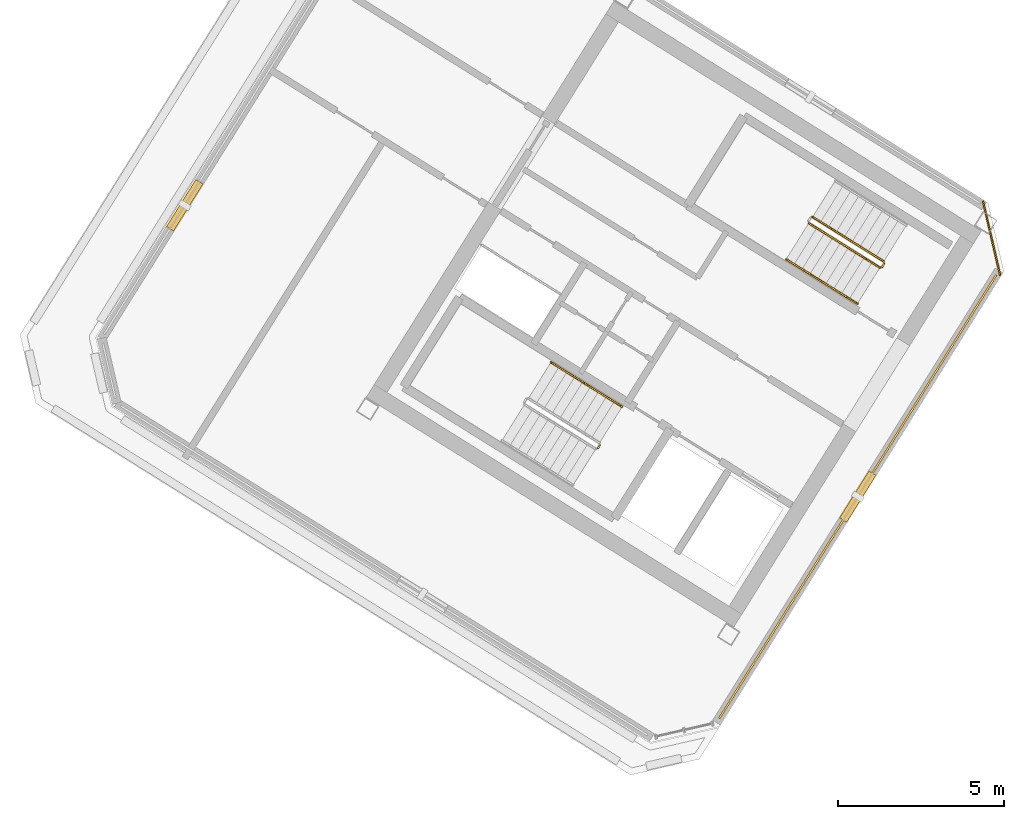
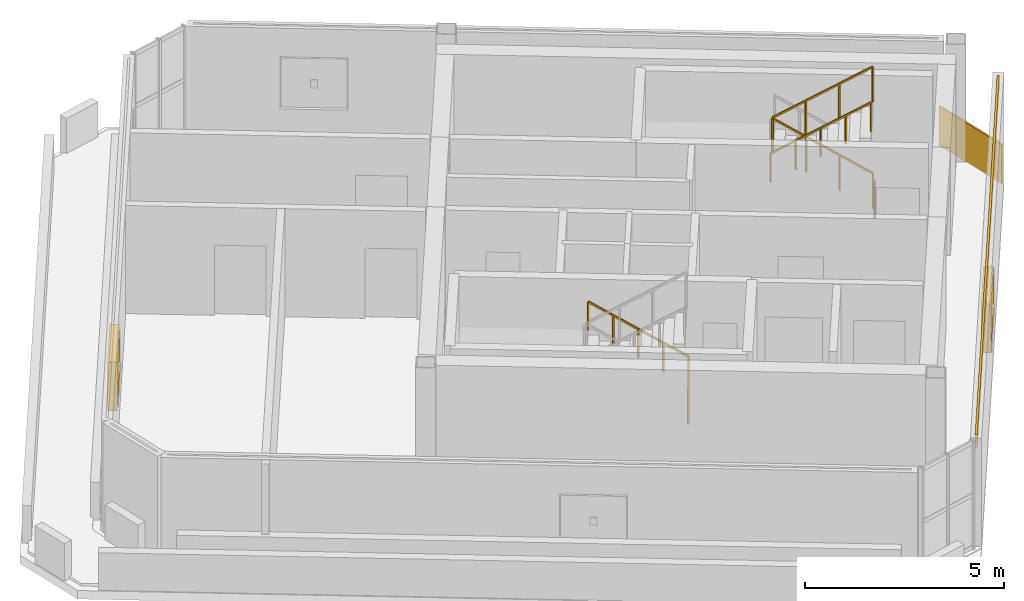
# One storey, part 8 of 9: 8 railings, 2 coverings, 2 shading devices.
"""IFC4 building model written with IfcOpenShell, lengths in metres."""

from ifc_helpers import new_model, si_unit, direction, frame, origin, origin_2d, place, context, subcontext, project, spatial, rectangle, extrude, source, transform, mapped, material, layer, layer_set, type_object, element, save


model = new_model("IFC4")

# Units and contexts
model_context = context("Model", 3, precision=1e-05, world=origin(), true_north=direction((0.0, 1.0)))
body_context = subcontext(model_context, "Body", "Model", "MODEL_VIEW")
ifc_project = project(units=[si_unit("LENGTHUNIT", "METRE"), si_unit("AREAUNIT", "SQUARE_METRE"), si_unit("VOLUMEUNIT", "CUBIC_METRE"), si_unit("PLANEANGLEUNIT", "RADIAN"), si_unit("MASSUNIT", "GRAM", prefix="KILO")], contexts=[model_context])

# Site, building, storey
site_placement = place(None, origin())
site = spatial("IfcSite", under=ifc_project, at=site_placement, CompositionType="ELEMENT")
building_placement = place(site_placement, origin())
building = spatial("IfcBuilding", under=site, at=building_placement, Name="Tlacorven Tower", CompositionType="ELEMENT")
storey_placement = place(building_placement, frame((0.0, 0.0, 306.0)))
storey = spatial("IfcBuildingStorey", under=building, at=storey_placement, Name="L78", CompositionType="ELEMENT", Elevation=306.0)

# Shading devices
ifc_material_1 = material(Name="Anodised bronze aluminium acoustic louvre", Category="aluminium")
shading_device_type = type_object("IfcShadingDeviceType", Name="SH-LVR-WND", PredefinedType="JALOUSIE", material=ifc_material_1)
shared_shape_1 = source(origin(), body_context, "Body", "SweptSolid", [
    extrude(rectangle(XDim=1.659912109375, YDim=0.25, at=origin_2d()), origin(), (0.0, 0.0, 1.0), 1.5),
])
for number, where, z_axis, x_axis, name in (
    (1, (36.933349609375, 16.23193359375, 0.89990234375), (0.0, 0.0, 1.0), (-0.52991890147, -0.848048322836, 0.0), "L78 Storm-Resistant Acoustic Louvre Bank 1.1"),
    (2, (16.682373046875, 24.99951171875, 0.89990234375), (0.0, 0.0, 1.0), (0.52991934678, 0.848048044576, 0.0), "L78 Storm-Resistant Acoustic Louvre Bank 4.1"),
):
    element("IfcShadingDevice", number, at=place(storey_placement, frame(where, z_axis=z_axis, x_axis=x_axis)), inside=storey, type_object=shading_device_type, Name=name, PredefinedType="JALOUSIE", context=body_context, shape_type="MappedRepresentation", body=[
        mapped(shared_shape_1, transform((0.0, 0.0, 0.0), scale=1.0)),
    ])

# Coverings
ifc_material_2 = material(Name="Precast concrete C45/55", Category="concrete")
ifc_layer = layer(ifc_material_2, 0.06005859375)
ifc_layer_set = layer_set([ifc_layer], Name="Precast concrete C45/55")
covering_type = type_object("IfcCoveringType", Name="CV-CLD-TERC", PredefinedType="CLADDING", material=ifc_layer_set)
shared_shape_2 = source(origin(), body_context, "Body", "SweptSolid", [
    extrude(rectangle(XDim=2.305419921875, YDim=0.050048828125, at=origin_2d()), origin(), (0.0, 0.0, 1.0), 1.199951171875),
])
covering_1_placement = place(storey_placement, frame((40.9560546875, 24.007568359375, -0.02001953125), z_axis=(0.0, 0.0, 1.0), x_axis=(0.22494970827, -0.97437037555, 0.0)))
element("IfcCovering", 3, at=covering_1_placement, inside=storey, type_object=covering_type, Name="L78 Crown Chamfer Spandrel Closure 1", PredefinedType="CLADDING", context=body_context, shape_type="MappedRepresentation", body=[
    mapped(shared_shape_2, transform((0.0, 0.0, 0.0), scale=1.0)),
])
shared_shape_3 = source(origin(), body_context, "Body", "SweptSolid", [
    extrude(rectangle(XDim=15.734130859375, YDim=0.06005859375, at=origin_2d()), origin(), (0.0, 0.0, 1.0), 0.419921875),
])
covering_2_placement = place(storey_placement, frame((36.933349609375, 16.23193359375, 2.900146484375), z_axis=(0.0, 0.0, 1.0), x_axis=(-0.52991890147, -0.848048322836, 0.0)))
element("IfcCovering", 4, at=covering_2_placement, inside=storey, type_object=covering_type, Name="L78 Masonry-Frame Spandrel Cladding 1", PredefinedType="CLADDING", context=body_context, shape_type="MappedRepresentation", body=[
    mapped(shared_shape_3, transform((0.0, 0.0, 0.0), scale=1.0)),
])

# Railings
ifc_material_3 = material(Name="Aluminium and painted steel balustrade", Category="steel")
railing_type_1 = type_object("IfcRailingType", Name="RL-GRD-1100", PredefinedType="GUARDRAIL", material=ifc_material_3)
shared_shape_4 = source(origin(), body_context, "Body", "SweptSolid", [
    extrude(rectangle(XDim=0.048095703125, YDim=0.048095703125, at=origin_2d()), frame((0.0, 0.0, 1.076171875), z_axis=(-0.529084052582, -0.848569422795, 0.0), x_axis=(0.848569422795, -0.529084052582, 0.0)), (0.0, 0.0, 1.0), 0.119873046875),
    extrude(rectangle(XDim=0.0419921875, YDim=0.0419921875, at=origin_2d()), origin(), (0.0, 0.0, 1.0), 1.052001953125),
    extrude(rectangle(XDim=0.0419921875, YDim=0.0419921875, at=origin_2d()), frame((-0.0634765625, -0.101806640625, 0.0)), (0.0, 0.0, 1.0), 1.052001953125),
])
railing_1_placement = place(storey_placement, frame((29.176513671875, 17.782958984375, 0.0)))
element("IfcRailing", 5, at=railing_1_placement, inside=storey, type_object=railing_type_1, Name="L78 ST-W1 stair guard 4", PredefinedType="GUARDRAIL", context=body_context, shape_type="MappedRepresentation", body=[
    mapped(shared_shape_4, transform((0.0, 0.0, 0.0), scale=1.0)),
])
shared_shape_5 = source(origin(), body_context, "Body", "SweptSolid", [
    extrude(rectangle(XDim=0.048095703125, YDim=0.048095703125, at=origin_2d()), frame((0.0, 0.0, 1.076171875), z_axis=(-0.713319727316, 0.445773895627, 0.540796265334), x_axis=(-0.529955395941, -0.84802551749, 0.0)), (0.0, 0.0, 1.0), 2.995849609375),
    extrude(rectangle(XDim=0.0419921875, YDim=0.0419921875, at=origin_2d()), origin(), (0.0, 0.0, 1.0), 1.052001953125),
    extrude(rectangle(XDim=0.0419921875, YDim=0.0419921875, at=origin_2d()), frame((-0.71240234375, 0.445068359375, 0.5400390625)), (0.0, 0.0, 1.0), 1.052001953125),
    extrude(rectangle(XDim=0.0419921875, YDim=0.0419921875, at=origin_2d()), frame((-1.424560546875, 0.890380859375, 1.080078125)), (0.0, 0.0, 1.0), 1.052001953125),
    extrude(rectangle(XDim=0.0419921875, YDim=0.0419921875, at=origin_2d()), frame((-2.136962890625, 1.33544921875, 1.6201171875)), (0.0, 0.0, 1.0), 1.052001953125),
])
railing_2_placement = place(storey_placement, frame((37.712158203125, 23.3095703125, 0.179931640625)))
element("IfcRailing", 6, at=railing_2_placement, inside=storey, type_object=railing_type_1, Name="L78 ST-W2 stair guard 1", PredefinedType="GUARDRAIL", context=body_context, shape_type="MappedRepresentation", body=[
    mapped(shared_shape_5, transform((0.0, 0.0, 0.0), scale=1.0)),
])
shared_shape_6 = source(origin(), body_context, "Body", "SweptSolid", [
    extrude(rectangle(XDim=0.048095703125, YDim=0.048095703125, at=origin_2d()), frame((0.0, 0.0, 1.076171875), z_axis=(-0.530546985787, -0.847655529016, 0.0), x_axis=(0.847655529016, -0.530546985787, 0.0)), (0.0, 0.0, 1.0), 0.1201171875),
    extrude(rectangle(XDim=0.0419921875, YDim=0.0419921875, at=origin_2d()), origin(), (0.0, 0.0, 1.0), 1.052001953125),
    extrude(rectangle(XDim=0.0419921875, YDim=0.0419921875, at=origin_2d()), frame((-0.063720703125, -0.101806640625, 0.0)), (0.0, 0.0, 1.0), 1.052001953125),
])
railing_3_placement = place(storey_placement, frame((37.728271484375, 23.24072265625, 0.0)))
element("IfcRailing", 7, at=railing_3_placement, inside=storey, type_object=railing_type_1, Name="L78 ST-W2 stair guard 4", PredefinedType="GUARDRAIL", context=body_context, shape_type="MappedRepresentation", body=[
    mapped(shared_shape_6, transform((0.0, 0.0, 0.0), scale=1.0)),
])
railing_type_2 = type_object("IfcRailingType", Name="RL-HND-0900", PredefinedType="HANDRAIL", material=ifc_material_3)
shared_shape_7 = source(origin(), body_context, "Body", "SweptSolid", [
    extrude(rectangle(XDim=0.048095703125, YDim=0.048095703125, at=origin_2d()), frame((0.0, 0.0, 0.8759765625), z_axis=(-0.713359751793, 0.4457479829, 0.540764828981), x_axis=(-0.529911857636, -0.848052724267, 0.0)), (0.0, 0.0, 1.0), 1.498046875),
    extrude(rectangle(XDim=0.0419921875, YDim=0.0419921875, at=origin_2d()), origin(), (0.0, 0.0, 1.0), 0.851806640625),
    extrude(rectangle(XDim=0.0419921875, YDim=0.0419921875, at=origin_2d()), frame((-0.5341796875, 0.333984375, 0.405029296875)), (0.0, 0.0, 1.0), 0.851806640625),
    extrude(rectangle(XDim=0.0419921875, YDim=0.0419921875, at=origin_2d()), frame((-1.068603515625, 0.667724609375, 0.81005859375)), (0.0, 0.0, 1.0), 0.851806640625),
])
for number, where, name in (
    (8, (29.839111328125, 18.937255859375, 0.179931640625), "L78 ST-W1 stair handrail 1"),
    (9, (28.7705078125, 19.60498046875, 0.989990234375), "L78 ST-W1 stair handrail 2"),
):
    element("IfcRailing", number, at=place(storey_placement, frame(where)), inside=storey, type_object=railing_type_2, Name=name, PredefinedType="HANDRAIL", context=body_context, shape_type="MappedRepresentation", body=[
        mapped(shared_shape_7, transform((0.0, 0.0, 0.0), scale=1.0)),
    ])
shared_shape_8 = source(origin(), body_context, "Body", "SweptSolid", [
    extrude(rectangle(XDim=0.048095703125, YDim=0.048095703125, at=origin_2d()), frame((0.0, 0.0, 0.8759765625), z_axis=(0.713359751793, -0.4457479829, 0.540764828981), x_axis=(0.529911857636, 0.848052724267, 0.0)), (0.0, 0.0, 1.0), 1.498046875),
    extrude(rectangle(XDim=0.0419921875, YDim=0.0419921875, at=origin_2d()), origin(), (0.0, 0.0, 1.0), 0.851806640625),
    extrude(rectangle(XDim=0.0419921875, YDim=0.0419921875, at=origin_2d()), frame((0.5341796875, -0.333984375, 0.405029296875)), (0.0, 0.0, 1.0), 0.851806640625),
    extrude(rectangle(XDim=0.0419921875, YDim=0.0419921875, at=origin_2d()), frame((1.068603515625, -0.667724609375, 0.81005859375)), (0.0, 0.0, 1.0), 0.851806640625),
])
for number, where, name in (
    (10, (34.7802734375, 23.372802734375, 1.97998046875), "L78 ST-W2 stair handrail 3"),
    (11, (35.848876953125, 22.705078125, 2.7900390625), "L78 ST-W2 stair handrail 4"),
):
    element("IfcRailing", number, at=place(storey_placement, frame(where)), inside=storey, type_object=railing_type_2, Name=name, PredefinedType="HANDRAIL", context=body_context, shape_type="MappedRepresentation", body=[
        mapped(shared_shape_8, transform((0.0, 0.0, 0.0), scale=1.0)),
    ])
shared_shape_9 = source(origin(), body_context, "Body", "SweptSolid", [
    extrude(rectangle(XDim=0.048095703125, YDim=0.048095703125, at=origin_2d()), frame((0.0, 0.0, 1.076171875), z_axis=(0.713385662783, -0.445682681033, 0.540784470897), x_axis=(0.52984217967, 0.848096259066, 0.0)), (0.0, 0.0, 1.0), 2.995849609375),
    extrude(rectangle(XDim=0.0419921875, YDim=0.0419921875, at=origin_2d()), origin(), (0.0, 0.0, 1.0), 1.052001953125),
    extrude(rectangle(XDim=0.0419921875, YDim=0.0419921875, at=origin_2d()), frame((0.71240234375, -0.445068359375, 0.5400390625)), (0.0, 0.0, 1.0), 1.052001953125),
    extrude(rectangle(XDim=0.0419921875, YDim=0.0419921875, at=origin_2d()), frame((1.4248046875, -0.89013671875, 1.080078125)), (0.0, 0.0, 1.0), 1.052001953125),
    extrude(rectangle(XDim=0.0419921875, YDim=0.0419921875, at=origin_2d()), frame((2.13720703125, -1.335205078125, 1.6201171875)), (0.0, 0.0, 1.0), 1.052001953125),
])
railing_4_placement = place(storey_placement, frame((35.45849609375, 24.458251953125, 1.97998046875)))
element("IfcRailing", 12, at=railing_4_placement, inside=storey, type_object=railing_type_1, Name="L78 ST-W2 stair guard 3", PredefinedType="GUARDRAIL", context=body_context, shape_type="MappedRepresentation", body=[
    mapped(shared_shape_9, transform((0.0, 0.0, 0.0), scale=1.0)),
])

save(model, "model.ifc")
